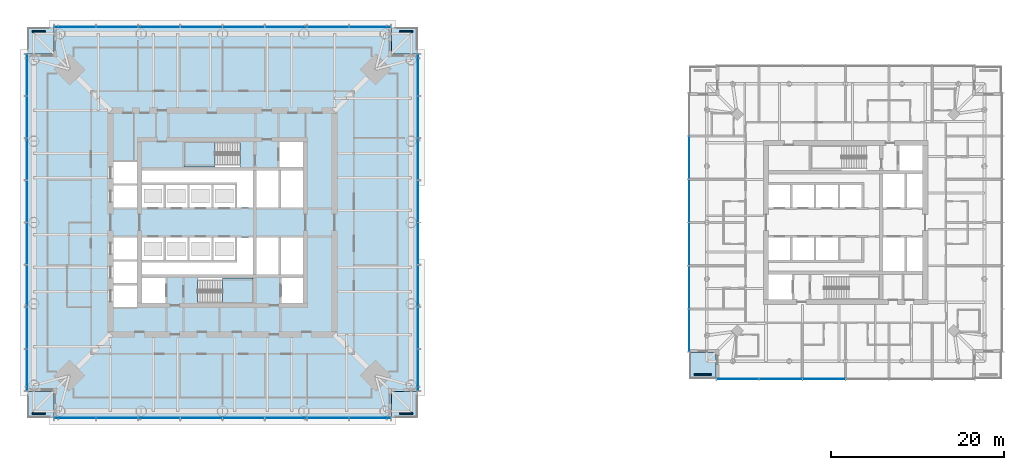
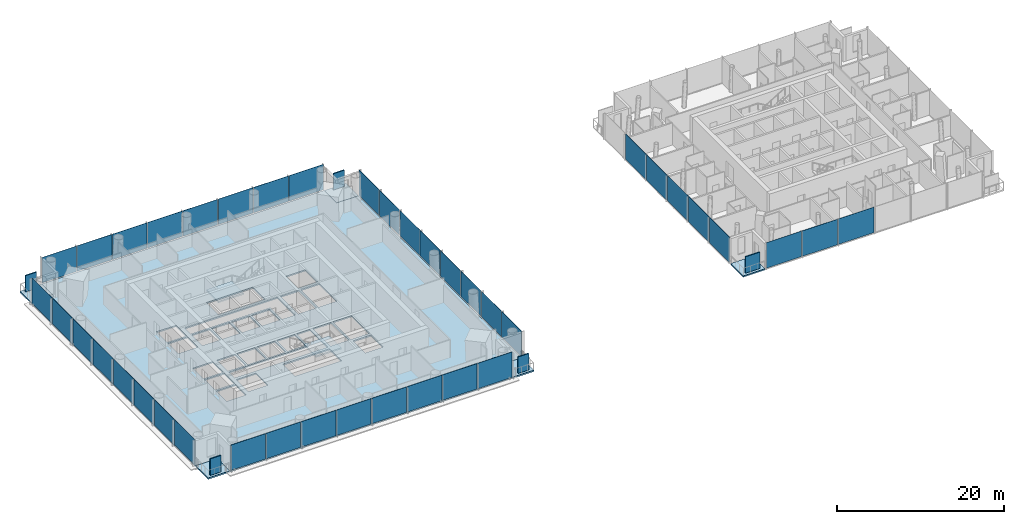
# One storey, part 7 of 27: 45 plates, 8 slabs, 8 elements without a shape of their own.
"""IFC4 building model written with IfcOpenShell, lengths in metres."""

from ifc_helpers import new_model, si_unit, direction, frame, origin, origin_2d, place, context, subcontext, project, spatial, polyline, rectangle, outline, extrude, material, layer, layer_set, type_object, element, aggregate, save


model = new_model("IFC4")

# Units and contexts
model_context = context("Model", 3, precision=1e-05, world=origin(), true_north=direction((0.0, 1.0)))
body_context = subcontext(model_context, "Body", "Model", "MODEL_VIEW")
ifc_project = project(units=[si_unit("LENGTHUNIT", "METRE"), si_unit("AREAUNIT", "SQUARE_METRE"), si_unit("VOLUMEUNIT", "CUBIC_METRE"), si_unit("PLANEANGLEUNIT", "RADIAN"), si_unit("MASSUNIT", "GRAM", prefix="KILO")], contexts=[model_context])

# Site, building, storey
site_placement = place(None, origin())
site = spatial("IfcSite", under=ifc_project, at=site_placement, CompositionType="ELEMENT")
building_placement = place(site_placement, origin())
building = spatial("IfcBuilding", under=site, at=building_placement, Name="Ostroluk Exchange", CompositionType="ELEMENT")
storey_placement = place(building_placement, frame((0.0, 0.0, 89.39990234375)))
storey = spatial("IfcBuildingStorey", under=building, at=storey_placement, Name="L22", CompositionType="ELEMENT", Elevation=89.39990234375)

# Curtain wall, plates
ifc_material_1 = material(Name="Laminated clear glass", Category="glass")
curtain_wall_type_1 = type_object("IfcCurtainWallType", Name="Hotel guest floor facade", PredefinedType="USERDEFINED", material=ifc_material_1)
curtain_wall_1_placement = place(storey_placement, origin())
curtain_wall_1 = element("IfcCurtainWall", 1, at=curtain_wall_1_placement, inside=storey, type_object=curtain_wall_type_1, Name="Hotel tower south facade L22", ObjectType="UNITISED CURTAIN WALL", PredefinedType="USERDEFINED")
ifc_material_2 = material(Name="Laminated clear glass", Category="glass")
ifc_layer_1 = layer(ifc_material_2, 0.0400390625)
ifc_layer_set_1 = layer_set([ifc_layer_1], Name="Acoustic laminated glazing 40")
plate_type_1 = type_object("IfcPlateType", Name="Acoustic laminated glazing 40", PredefinedType="CURTAIN_PANEL", material=ifc_layer_set_1)
plate_1_placement = place(storey_placement, frame((104.52001953125, 27.925048828125, 0.080078125), z_axis=(0.0, 0.0, 1.0), x_axis=(1.0, 0.0, 0.0)))
plate_1 = element("IfcPlate", 2, at=plate_1_placement, type_object=plate_type_1, Name="CW-H1 panel 1.1", PredefinedType="CURTAIN_PANEL", context=body_context, shape_type="SweptSolid", body=[
    extrude(rectangle(XDim=4.8798828125, YDim=0.0400390625, at=origin_2d()), origin(), (0.0, 0.0, 1.0), 3.719970703125),
])
plate_2_placement = place(storey_placement, frame((109.5, 27.925048828125, 0.080078125), z_axis=(0.0, 0.0, 1.0), x_axis=(1.0, 0.0, 0.0)))
plate_2 = element("IfcPlate", 3, at=plate_2_placement, type_object=plate_type_1, Name="CW-H1 panel 2.1", PredefinedType="CURTAIN_PANEL", context=body_context, shape_type="SweptSolid", body=[
    extrude(rectangle(XDim=4.919921875, YDim=0.0400390625, at=origin_2d()), origin(), (0.0, 0.0, 1.0), 3.719970703125),
])
plate_3_placement = place(storey_placement, frame((114.5, 27.925048828125, 0.080078125), z_axis=(0.0, 0.0, 1.0), x_axis=(1.0, 0.0, 0.0)))
plate_3 = element("IfcPlate", 4, at=plate_3_placement, type_object=plate_type_1, Name="CW-H1 panel 3.1", PredefinedType="CURTAIN_PANEL", context=body_context, shape_type="SweptSolid", body=[
    extrude(rectangle(XDim=4.919921875, YDim=0.0400390625, at=origin_2d()), origin(), (0.0, 0.0, 1.0), 3.719970703125),
])
aggregate(curtain_wall_1, [plate_1, plate_2, plate_3])

curtain_wall_2_placement = place(storey_placement, origin())
curtain_wall_2 = element("IfcCurtainWall", 5, at=curtain_wall_2_placement, inside=storey, type_object=curtain_wall_type_1, Name="Hotel tower west facade L22", ObjectType="UNITISED CURTAIN WALL", PredefinedType="USERDEFINED")
plate_4_placement = place(storey_placement, frame((98.925048828125, 53.5, 0.080078125), z_axis=(0.0, 0.0, 1.0), x_axis=(0.0, -1.0, 0.0)))
plate_4 = element("IfcPlate", 6, at=plate_4_placement, type_object=plate_type_1, Name="CW-H1 panel 2.1", PredefinedType="CURTAIN_PANEL", context=body_context, shape_type="SweptSolid", body=[
    extrude(rectangle(XDim=4.919921875, YDim=0.0400390625, at=origin_2d()), origin(), (0.0, 0.0, 1.0), 3.719970703125),
])
plate_5_placement = place(storey_placement, frame((98.925048828125, 48.5, 0.080078125), z_axis=(0.0, 0.0, 1.0), x_axis=(0.0, -1.0, 0.0)))
plate_5 = element("IfcPlate", 7, at=plate_5_placement, type_object=plate_type_1, Name="CW-H1 panel 3.1", PredefinedType="CURTAIN_PANEL", context=body_context, shape_type="SweptSolid", body=[
    extrude(rectangle(XDim=4.919921875, YDim=0.0400390625, at=origin_2d()), origin(), (0.0, 0.0, 1.0), 3.719970703125),
])
plate_6_placement = place(storey_placement, frame((98.925048828125, 43.5, 0.080078125), z_axis=(0.0, 0.0, 1.0), x_axis=(0.0, -1.0, 0.0)))
plate_6 = element("IfcPlate", 8, at=plate_6_placement, type_object=plate_type_1, Name="CW-H1 panel 4.1", PredefinedType="CURTAIN_PANEL", context=body_context, shape_type="SweptSolid", body=[
    extrude(rectangle(XDim=4.919921875, YDim=0.0400390625, at=origin_2d()), origin(), (0.0, 0.0, 1.0), 3.719970703125),
])
plate_7_placement = place(storey_placement, frame((98.925048828125, 38.5, 0.080078125), z_axis=(0.0, 0.0, 1.0), x_axis=(0.0, -1.0, 0.0)))
plate_7 = element("IfcPlate", 9, at=plate_7_placement, type_object=plate_type_1, Name="CW-H1 panel 5.1", PredefinedType="CURTAIN_PANEL", context=body_context, shape_type="SweptSolid", body=[
    extrude(rectangle(XDim=4.919921875, YDim=0.0400390625, at=origin_2d()), origin(), (0.0, 0.0, 1.0), 3.719970703125),
])
plate_8_placement = place(storey_placement, frame((98.925048828125, 33.52001953125, 0.080078125), z_axis=(0.0, 0.0, 1.0), x_axis=(0.0, -1.0, 0.0)))
plate_8 = element("IfcPlate", 10, at=plate_8_placement, type_object=plate_type_1, Name="CW-H1 panel 6.1", PredefinedType="CURTAIN_PANEL", context=body_context, shape_type="SweptSolid", body=[
    extrude(rectangle(XDim=4.8798828125, YDim=0.0400390625, at=origin_2d()), origin(), (0.0, 0.0, 1.0), 3.719970703125),
])
aggregate(curtain_wall_2, [plate_4, plate_5, plate_6, plate_7, plate_8])

# Slabs
ifc_material_3 = material(Name="Concrete C35/45", Category="concrete")
ifc_layer_2 = layer(ifc_material_3, 0.199951171875)
ifc_layer_set_2 = layer_set([ifc_layer_2], Name="Balcony slab 200")
slab_type_1 = type_object("IfcSlabType", Name="Balcony slab 200", PredefinedType="USERDEFINED", material=ifc_layer_set_2)
slab_1_placement = place(storey_placement, frame((0.0, 0.0, -0.199951171875)))
element("IfcSlab", 11, at=slab_1_placement, inside=storey, type_object=slab_type_1, Name="Office tower SE corner balcony L22", ObjectType="BALCONY", PredefinedType="USERDEFINED", context=body_context, shape_type="SweptSolid", body=[
    extrude(outline(polyline([(64.5, 23.5), (67.5, 23.5), (67.5, 26.5), (64.5, 26.5), (64.5, 23.5)])), origin(), (0.0, 0.0, 1.0), 0.199951171875),
])
slab_2_placement = place(storey_placement, frame((0.0, 0.0, -0.199951171875)))
element("IfcSlab", 12, at=slab_2_placement, inside=storey, type_object=slab_type_1, Name="Office tower NE corner balcony L22", ObjectType="BALCONY", PredefinedType="USERDEFINED", context=body_context, shape_type="SweptSolid", body=[
    extrude(outline(polyline([(64.5, 65.5), (67.5, 65.5), (67.5, 68.5), (64.5, 68.5), (64.5, 65.5)])), origin(), (0.0, 0.0, 1.0), 0.199951171875),
])
slab_3_placement = place(storey_placement, frame((0.0, 0.0, -0.199951171875)))
element("IfcSlab", 13, at=slab_3_placement, inside=storey, type_object=slab_type_1, Name="Office tower NW corner balcony L22", ObjectType="BALCONY", PredefinedType="USERDEFINED", context=body_context, shape_type="SweptSolid", body=[
    extrude(outline(polyline([(22.5, 65.5), (25.5, 65.5), (25.5, 68.5), (22.5, 68.5), (22.5, 65.5)])), origin(), (0.0, 0.0, 1.0), 0.199951171875),
])
slab_4_placement = place(storey_placement, frame((0.0, 0.0, -0.199951171875)))
element("IfcSlab", 14, at=slab_4_placement, inside=storey, type_object=slab_type_1, Name="Office tower SW corner balcony L22", ObjectType="BALCONY", PredefinedType="USERDEFINED", context=body_context, shape_type="SweptSolid", body=[
    extrude(outline(polyline([(22.5, 23.5), (25.5, 23.5), (25.5, 26.5), (22.5, 26.5), (22.5, 23.5)])), origin(), (0.0, 0.0, 1.0), 0.199951171875),
])
slab_5_placement = place(storey_placement, frame((0.0, 0.0, -0.199951171875)))
element("IfcSlab", 15, at=slab_5_placement, inside=storey, type_object=slab_type_1, Name="Hotel tower SW corner balcony L22", ObjectType="BALCONY", PredefinedType="USERDEFINED", context=body_context, shape_type="SweptSolid", body=[
    extrude(outline(polyline([(99.0, 28.0), (102.0, 28.0), (102.0, 31.0), (99.0, 31.0), (99.0, 28.0)])), origin(), (0.0, 0.0, 1.0), 0.199951171875),
])

# Curtain wall, plates
ifc_material_4 = material(Name="Laminated clear glass", Category="glass")
curtain_wall_type_2 = type_object("IfcCurtainWallType", Name="Office tower plant and sky lobby facade", PredefinedType="USERDEFINED", material=ifc_material_4)
curtain_wall_3_placement = place(storey_placement, origin())
curtain_wall_3 = element("IfcCurtainWall", 16, at=curtain_wall_3_placement, inside=storey, type_object=curtain_wall_type_2, Name="Office tower south facade L22", ObjectType="LOUVRED CURTAIN WALL", PredefinedType="USERDEFINED")
ifc_material_5 = material(Name="Laminated clear glass", Category="glass")
ifc_layer_3 = layer(ifc_material_5, 0.035888671875)
ifc_layer_set_3 = layer_set([ifc_layer_3], Name="Double laminated clear glazing 36")
plate_type_2 = type_object("IfcPlateType", Name="Double laminated clear glazing 36", PredefinedType="CURTAIN_PANEL", material=ifc_layer_set_3)
plate_9_placement = place(storey_placement, frame((27.95751953125, 23.425048828125, 0.080078125), z_axis=(0.0, 0.0, 1.0), x_axis=(1.0, 0.0, 0.0)))
plate_9 = element("IfcPlate", 17, at=plate_9_placement, type_object=plate_type_2, Name="CW-P1 panel 1.1", PredefinedType="CURTAIN_PANEL", context=body_context, shape_type="SweptSolid", body=[
    extrude(rectangle(XDim=4.7548828125, YDim=0.035888671875, at=origin_2d()), origin(), (0.0, 0.0, 1.0), 3.719970703125),
])
plate_10_placement = place(storey_placement, frame((32.8125, 23.425048828125, 0.080078125), z_axis=(0.0, 0.0, 1.0), x_axis=(1.0, 0.0, 0.0)))
plate_10 = element("IfcPlate", 18, at=plate_10_placement, type_object=plate_type_2, Name="CW-P1 panel 2.1", PredefinedType="CURTAIN_PANEL", context=body_context, shape_type="SweptSolid", body=[
    extrude(rectangle(XDim=4.794921875, YDim=0.035888671875, at=origin_2d()), origin(), (0.0, 0.0, 1.0), 3.719970703125),
])
plate_11_placement = place(storey_placement, frame((37.6875, 23.425048828125, 0.080078125), z_axis=(0.0, 0.0, 1.0), x_axis=(1.0, 0.0, 0.0)))
plate_11 = element("IfcPlate", 19, at=plate_11_placement, type_object=plate_type_2, Name="CW-P1 panel 3.1", PredefinedType="CURTAIN_PANEL", context=body_context, shape_type="SweptSolid", body=[
    extrude(rectangle(XDim=4.794921875, YDim=0.035888671875, at=origin_2d()), origin(), (0.0, 0.0, 1.0), 3.719970703125),
])
plate_12_placement = place(storey_placement, frame((42.5625, 23.425048828125, 0.080078125), z_axis=(0.0, 0.0, 1.0), x_axis=(1.0, 0.0, 0.0)))
plate_12 = element("IfcPlate", 20, at=plate_12_placement, type_object=plate_type_2, Name="CW-P1 panel 4.1", PredefinedType="CURTAIN_PANEL", context=body_context, shape_type="SweptSolid", body=[
    extrude(rectangle(XDim=4.794921875, YDim=0.035888671875, at=origin_2d()), origin(), (0.0, 0.0, 1.0), 3.719970703125),
])
plate_13_placement = place(storey_placement, frame((47.4375, 23.425048828125, 0.080078125), z_axis=(0.0, 0.0, 1.0), x_axis=(1.0, 0.0, 0.0)))
plate_13 = element("IfcPlate", 21, at=plate_13_placement, type_object=plate_type_2, Name="CW-P1 panel 5.1", PredefinedType="CURTAIN_PANEL", context=body_context, shape_type="SweptSolid", body=[
    extrude(rectangle(XDim=4.794921875, YDim=0.035888671875, at=origin_2d()), origin(), (0.0, 0.0, 1.0), 3.719970703125),
])
plate_14_placement = place(storey_placement, frame((52.3125, 23.425048828125, 0.080078125), z_axis=(0.0, 0.0, 1.0), x_axis=(1.0, 0.0, 0.0)))
plate_14 = element("IfcPlate", 22, at=plate_14_placement, type_object=plate_type_2, Name="CW-P1 panel 6.1", PredefinedType="CURTAIN_PANEL", context=body_context, shape_type="SweptSolid", body=[
    extrude(rectangle(XDim=4.794921875, YDim=0.035888671875, at=origin_2d()), origin(), (0.0, 0.0, 1.0), 3.719970703125),
])
plate_15_placement = place(storey_placement, frame((57.1875, 23.425048828125, 0.080078125), z_axis=(0.0, 0.0, 1.0), x_axis=(1.0, 0.0, 0.0)))
plate_15 = element("IfcPlate", 23, at=plate_15_placement, type_object=plate_type_2, Name="CW-P1 panel 7.1", PredefinedType="CURTAIN_PANEL", context=body_context, shape_type="SweptSolid", body=[
    extrude(rectangle(XDim=4.794921875, YDim=0.035888671875, at=origin_2d()), origin(), (0.0, 0.0, 1.0), 3.719970703125),
])
plate_16_placement = place(storey_placement, frame((62.04248046875, 23.425048828125, 0.080078125), z_axis=(0.0, 0.0, 1.0), x_axis=(1.0, 0.0, 0.0)))
plate_16 = element("IfcPlate", 24, at=plate_16_placement, type_object=plate_type_2, Name="CW-P1 panel 8.1", PredefinedType="CURTAIN_PANEL", context=body_context, shape_type="SweptSolid", body=[
    extrude(rectangle(XDim=4.7548828125, YDim=0.035888671875, at=origin_2d()), origin(), (0.0, 0.0, 1.0), 3.719970703125),
])
aggregate(curtain_wall_3, [plate_9, plate_10, plate_11, plate_12, plate_13, plate_14, plate_15, plate_16])

curtain_wall_4_placement = place(storey_placement, origin())
curtain_wall_4 = element("IfcCurtainWall", 25, at=curtain_wall_4_placement, inside=storey, type_object=curtain_wall_type_2, Name="Office tower east facade L22", ObjectType="LOUVRED CURTAIN WALL", PredefinedType="USERDEFINED")
plate_17_placement = place(storey_placement, frame((67.574951171875, 28.95751953125, 0.080078125), z_axis=(0.0, 0.0, 1.0), x_axis=(0.0, 1.0, 0.0)))
plate_17 = element("IfcPlate", 26, at=plate_17_placement, type_object=plate_type_2, Name="CW-P1 panel 1.1", PredefinedType="CURTAIN_PANEL", context=body_context, shape_type="SweptSolid", body=[
    extrude(rectangle(XDim=4.7548828125, YDim=0.035888671875, at=origin_2d()), origin(), (0.0, 0.0, 1.0), 3.719970703125),
])
plate_18_placement = place(storey_placement, frame((67.574951171875, 33.8125, 0.080078125), z_axis=(0.0, 0.0, 1.0), x_axis=(0.0, 1.0, 0.0)))
plate_18 = element("IfcPlate", 27, at=plate_18_placement, type_object=plate_type_2, Name="CW-P1 panel 2.1", PredefinedType="CURTAIN_PANEL", context=body_context, shape_type="SweptSolid", body=[
    extrude(rectangle(XDim=4.794921875, YDim=0.035888671875, at=origin_2d()), origin(), (0.0, 0.0, 1.0), 3.719970703125),
])
plate_19_placement = place(storey_placement, frame((67.574951171875, 38.6875, 0.080078125), z_axis=(0.0, 0.0, 1.0), x_axis=(0.0, 1.0, 0.0)))
plate_19 = element("IfcPlate", 28, at=plate_19_placement, type_object=plate_type_2, Name="CW-P1 panel 3.1", PredefinedType="CURTAIN_PANEL", context=body_context, shape_type="SweptSolid", body=[
    extrude(rectangle(XDim=4.794921875, YDim=0.035888671875, at=origin_2d()), origin(), (0.0, 0.0, 1.0), 3.719970703125),
])
plate_20_placement = place(storey_placement, frame((67.574951171875, 43.5625, 0.080078125), z_axis=(0.0, 0.0, 1.0), x_axis=(0.0, 1.0, 0.0)))
plate_20 = element("IfcPlate", 29, at=plate_20_placement, type_object=plate_type_2, Name="CW-P1 panel 4.1", PredefinedType="CURTAIN_PANEL", context=body_context, shape_type="SweptSolid", body=[
    extrude(rectangle(XDim=4.794921875, YDim=0.035888671875, at=origin_2d()), origin(), (0.0, 0.0, 1.0), 3.719970703125),
])
plate_21_placement = place(storey_placement, frame((67.574951171875, 48.4375, 0.080078125), z_axis=(0.0, 0.0, 1.0), x_axis=(0.0, 1.0, 0.0)))
plate_21 = element("IfcPlate", 30, at=plate_21_placement, type_object=plate_type_2, Name="CW-P1 panel 5.1", PredefinedType="CURTAIN_PANEL", context=body_context, shape_type="SweptSolid", body=[
    extrude(rectangle(XDim=4.794921875, YDim=0.035888671875, at=origin_2d()), origin(), (0.0, 0.0, 1.0), 3.719970703125),
])
plate_22_placement = place(storey_placement, frame((67.574951171875, 53.3125, 0.080078125), z_axis=(0.0, 0.0, 1.0), x_axis=(0.0, 1.0, 0.0)))
plate_22 = element("IfcPlate", 31, at=plate_22_placement, type_object=plate_type_2, Name="CW-P1 panel 6.1", PredefinedType="CURTAIN_PANEL", context=body_context, shape_type="SweptSolid", body=[
    extrude(rectangle(XDim=4.794921875, YDim=0.035888671875, at=origin_2d()), origin(), (0.0, 0.0, 1.0), 3.719970703125),
])
plate_23_placement = place(storey_placement, frame((67.574951171875, 58.1875, 0.080078125), z_axis=(0.0, 0.0, 1.0), x_axis=(0.0, 1.0, 0.0)))
plate_23 = element("IfcPlate", 32, at=plate_23_placement, type_object=plate_type_2, Name="CW-P1 panel 7.1", PredefinedType="CURTAIN_PANEL", context=body_context, shape_type="SweptSolid", body=[
    extrude(rectangle(XDim=4.794921875, YDim=0.035888671875, at=origin_2d()), origin(), (0.0, 0.0, 1.0), 3.719970703125),
])
plate_24_placement = place(storey_placement, frame((67.574951171875, 63.04248046875, 0.080078125), z_axis=(0.0, 0.0, 1.0), x_axis=(0.0, 1.0, 0.0)))
plate_24 = element("IfcPlate", 33, at=plate_24_placement, type_object=plate_type_2, Name="CW-P1 panel 8.1", PredefinedType="CURTAIN_PANEL", context=body_context, shape_type="SweptSolid", body=[
    extrude(rectangle(XDim=4.7548828125, YDim=0.035888671875, at=origin_2d()), origin(), (0.0, 0.0, 1.0), 3.719970703125),
])
aggregate(curtain_wall_4, [plate_17, plate_18, plate_19, plate_20, plate_21, plate_22, plate_23, plate_24])

curtain_wall_5_placement = place(storey_placement, origin())
curtain_wall_5 = element("IfcCurtainWall", 34, at=curtain_wall_5_placement, inside=storey, type_object=curtain_wall_type_2, Name="Office tower north facade L22", ObjectType="LOUVRED CURTAIN WALL", PredefinedType="USERDEFINED")
plate_25_placement = place(storey_placement, frame((62.04248046875, 68.574951171875, 0.080078125), z_axis=(0.0, 0.0, 1.0), x_axis=(-1.0, 0.0, 0.0)))
plate_25 = element("IfcPlate", 35, at=plate_25_placement, type_object=plate_type_2, Name="CW-P1 panel 1.1", PredefinedType="CURTAIN_PANEL", context=body_context, shape_type="SweptSolid", body=[
    extrude(rectangle(XDim=4.7548828125, YDim=0.035888671875, at=origin_2d()), origin(), (0.0, 0.0, 1.0), 3.719970703125),
])
plate_26_placement = place(storey_placement, frame((57.1875, 68.574951171875, 0.080078125), z_axis=(0.0, 0.0, 1.0), x_axis=(-1.0, 0.0, 0.0)))
plate_26 = element("IfcPlate", 36, at=plate_26_placement, type_object=plate_type_2, Name="CW-P1 panel 2.1", PredefinedType="CURTAIN_PANEL", context=body_context, shape_type="SweptSolid", body=[
    extrude(rectangle(XDim=4.794921875, YDim=0.035888671875, at=origin_2d()), origin(), (0.0, 0.0, 1.0), 3.719970703125),
])
plate_27_placement = place(storey_placement, frame((52.3125, 68.574951171875, 0.080078125), z_axis=(0.0, 0.0, 1.0), x_axis=(-1.0, 0.0, 0.0)))
plate_27 = element("IfcPlate", 37, at=plate_27_placement, type_object=plate_type_2, Name="CW-P1 panel 3.1", PredefinedType="CURTAIN_PANEL", context=body_context, shape_type="SweptSolid", body=[
    extrude(rectangle(XDim=4.794921875, YDim=0.035888671875, at=origin_2d()), origin(), (0.0, 0.0, 1.0), 3.719970703125),
])
plate_28_placement = place(storey_placement, frame((47.4375, 68.574951171875, 0.080078125), z_axis=(0.0, 0.0, 1.0), x_axis=(-1.0, 0.0, 0.0)))
plate_28 = element("IfcPlate", 38, at=plate_28_placement, type_object=plate_type_2, Name="CW-P1 panel 4.1", PredefinedType="CURTAIN_PANEL", context=body_context, shape_type="SweptSolid", body=[
    extrude(rectangle(XDim=4.794921875, YDim=0.035888671875, at=origin_2d()), origin(), (0.0, 0.0, 1.0), 3.719970703125),
])
plate_29_placement = place(storey_placement, frame((42.5625, 68.574951171875, 0.080078125), z_axis=(0.0, 0.0, 1.0), x_axis=(-1.0, 0.0, 0.0)))
plate_29 = element("IfcPlate", 39, at=plate_29_placement, type_object=plate_type_2, Name="CW-P1 panel 5.1", PredefinedType="CURTAIN_PANEL", context=body_context, shape_type="SweptSolid", body=[
    extrude(rectangle(XDim=4.794921875, YDim=0.035888671875, at=origin_2d()), origin(), (0.0, 0.0, 1.0), 3.719970703125),
])
plate_30_placement = place(storey_placement, frame((37.6875, 68.574951171875, 0.080078125), z_axis=(0.0, 0.0, 1.0), x_axis=(-1.0, 0.0, 0.0)))
plate_30 = element("IfcPlate", 40, at=plate_30_placement, type_object=plate_type_2, Name="CW-P1 panel 6.1", PredefinedType="CURTAIN_PANEL", context=body_context, shape_type="SweptSolid", body=[
    extrude(rectangle(XDim=4.794921875, YDim=0.035888671875, at=origin_2d()), origin(), (0.0, 0.0, 1.0), 3.719970703125),
])
plate_31_placement = place(storey_placement, frame((32.8125, 68.574951171875, 0.080078125), z_axis=(0.0, 0.0, 1.0), x_axis=(-1.0, 0.0, 0.0)))
plate_31 = element("IfcPlate", 41, at=plate_31_placement, type_object=plate_type_2, Name="CW-P1 panel 7.1", PredefinedType="CURTAIN_PANEL", context=body_context, shape_type="SweptSolid", body=[
    extrude(rectangle(XDim=4.794921875, YDim=0.035888671875, at=origin_2d()), origin(), (0.0, 0.0, 1.0), 3.719970703125),
])
plate_32_placement = place(storey_placement, frame((27.95751953125, 68.574951171875, 0.080078125), z_axis=(0.0, 0.0, 1.0), x_axis=(-1.0, 0.0, 0.0)))
plate_32 = element("IfcPlate", 42, at=plate_32_placement, type_object=plate_type_2, Name="CW-P1 panel 8.1", PredefinedType="CURTAIN_PANEL", context=body_context, shape_type="SweptSolid", body=[
    extrude(rectangle(XDim=4.7548828125, YDim=0.035888671875, at=origin_2d()), origin(), (0.0, 0.0, 1.0), 3.719970703125),
])
aggregate(curtain_wall_5, [plate_25, plate_26, plate_27, plate_28, plate_29, plate_30, plate_31, plate_32])

curtain_wall_6_placement = place(storey_placement, origin())
curtain_wall_6 = element("IfcCurtainWall", 43, at=curtain_wall_6_placement, inside=storey, type_object=curtain_wall_type_2, Name="Office tower west facade L22", ObjectType="LOUVRED CURTAIN WALL", PredefinedType="USERDEFINED")
plate_33_placement = place(storey_placement, frame((22.425048828125, 63.04248046875, 0.080078125), z_axis=(0.0, 0.0, 1.0), x_axis=(0.0, -1.0, 0.0)))
plate_33 = element("IfcPlate", 44, at=plate_33_placement, type_object=plate_type_2, Name="CW-P1 panel 1.1", PredefinedType="CURTAIN_PANEL", context=body_context, shape_type="SweptSolid", body=[
    extrude(rectangle(XDim=4.7548828125, YDim=0.035888671875, at=origin_2d()), origin(), (0.0, 0.0, 1.0), 3.719970703125),
])
plate_34_placement = place(storey_placement, frame((22.425048828125, 58.1875, 0.080078125), z_axis=(0.0, 0.0, 1.0), x_axis=(0.0, -1.0, 0.0)))
plate_34 = element("IfcPlate", 45, at=plate_34_placement, type_object=plate_type_2, Name="CW-P1 panel 2.1", PredefinedType="CURTAIN_PANEL", context=body_context, shape_type="SweptSolid", body=[
    extrude(rectangle(XDim=4.794921875, YDim=0.035888671875, at=origin_2d()), origin(), (0.0, 0.0, 1.0), 3.719970703125),
])
plate_35_placement = place(storey_placement, frame((22.425048828125, 53.3125, 0.080078125), z_axis=(0.0, 0.0, 1.0), x_axis=(0.0, -1.0, 0.0)))
plate_35 = element("IfcPlate", 46, at=plate_35_placement, type_object=plate_type_2, Name="CW-P1 panel 3.1", PredefinedType="CURTAIN_PANEL", context=body_context, shape_type="SweptSolid", body=[
    extrude(rectangle(XDim=4.794921875, YDim=0.035888671875, at=origin_2d()), origin(), (0.0, 0.0, 1.0), 3.719970703125),
])
plate_36_placement = place(storey_placement, frame((22.425048828125, 48.4375, 0.080078125), z_axis=(0.0, 0.0, 1.0), x_axis=(0.0, -1.0, 0.0)))
plate_36 = element("IfcPlate", 47, at=plate_36_placement, type_object=plate_type_2, Name="CW-P1 panel 4.1", PredefinedType="CURTAIN_PANEL", context=body_context, shape_type="SweptSolid", body=[
    extrude(rectangle(XDim=4.794921875, YDim=0.035888671875, at=origin_2d()), origin(), (0.0, 0.0, 1.0), 3.719970703125),
])
plate_37_placement = place(storey_placement, frame((22.425048828125, 43.5625, 0.080078125), z_axis=(0.0, 0.0, 1.0), x_axis=(0.0, -1.0, 0.0)))
plate_37 = element("IfcPlate", 48, at=plate_37_placement, type_object=plate_type_2, Name="CW-P1 panel 5.1", PredefinedType="CURTAIN_PANEL", context=body_context, shape_type="SweptSolid", body=[
    extrude(rectangle(XDim=4.794921875, YDim=0.035888671875, at=origin_2d()), origin(), (0.0, 0.0, 1.0), 3.719970703125),
])
plate_38_placement = place(storey_placement, frame((22.425048828125, 38.6875, 0.080078125), z_axis=(0.0, 0.0, 1.0), x_axis=(0.0, -1.0, 0.0)))
plate_38 = element("IfcPlate", 49, at=plate_38_placement, type_object=plate_type_2, Name="CW-P1 panel 6.1", PredefinedType="CURTAIN_PANEL", context=body_context, shape_type="SweptSolid", body=[
    extrude(rectangle(XDim=4.794921875, YDim=0.035888671875, at=origin_2d()), origin(), (0.0, 0.0, 1.0), 3.719970703125),
])
plate_39_placement = place(storey_placement, frame((22.425048828125, 33.8125, 0.080078125), z_axis=(0.0, 0.0, 1.0), x_axis=(0.0, -1.0, 0.0)))
plate_39 = element("IfcPlate", 50, at=plate_39_placement, type_object=plate_type_2, Name="CW-P1 panel 7.1", PredefinedType="CURTAIN_PANEL", context=body_context, shape_type="SweptSolid", body=[
    extrude(rectangle(XDim=4.794921875, YDim=0.035888671875, at=origin_2d()), origin(), (0.0, 0.0, 1.0), 3.719970703125),
])
plate_40_placement = place(storey_placement, frame((22.425048828125, 28.95751953125, 0.080078125), z_axis=(0.0, 0.0, 1.0), x_axis=(0.0, -1.0, 0.0)))
plate_40 = element("IfcPlate", 51, at=plate_40_placement, type_object=plate_type_2, Name="CW-P1 panel 8.1", PredefinedType="CURTAIN_PANEL", context=body_context, shape_type="SweptSolid", body=[
    extrude(rectangle(XDim=4.7548828125, YDim=0.035888671875, at=origin_2d()), origin(), (0.0, 0.0, 1.0), 3.719970703125),
])
aggregate(curtain_wall_6, [plate_33, plate_34, plate_35, plate_36, plate_37, plate_38, plate_39, plate_40])

# Plates
ifc_material_6 = material(Name="Steel S355 trellis with planting", Category="steel")
ifc_layer_4 = layer(ifc_material_6, 0.14990234375)
ifc_layer_set_4 = layer_set([ifc_layer_4], Name="Planted screen 150")
plate_type_3 = type_object("IfcPlateType", Name="Planted screen 150", PredefinedType="USERDEFINED", material=ifc_layer_set_4)
for number, where, z_axis, x_axis, name in (
    (52, (66.25, 23.925048828125, 0.000244140625), (0.0, 0.0, 1.0), (1.0, 0.0, 0.0), "Office tower SE planted screen L22"),
    (53, (66.25, 68.074951171875, 0.000244140625), (0.0, 0.0, 1.0), (1.0, 0.0, 0.0), "Office tower NE planted screen L22"),
    (54, (23.75, 68.074951171875, 0.000244140625), (0.0, 0.0, 1.0), (1.0, 0.0, 0.0), "Office tower NW planted screen L22"),
    (55, (23.75, 23.925048828125, 0.000244140625), (0.0, 0.0, 1.0), (1.0, 0.0, 0.0), "Office tower SW planted screen L22"),
):
    element("IfcPlate", number, at=place(storey_placement, frame(where, z_axis=z_axis, x_axis=x_axis)), inside=storey, type_object=plate_type_3, Name=name, ObjectType="PLANTED SCREEN", PredefinedType="USERDEFINED", context=body_context, shape_type="SweptSolid", body=[
        extrude(rectangle(XDim=1.5, YDim=0.14990234375, at=origin_2d()), origin(), (0.0, 0.0, 1.0), 2.39990234375),
    ])
plate_41_placement = place(storey_placement, frame((100.5, 28.425048828125, 0.000244140625), z_axis=(0.0, 0.0, 1.0), x_axis=(1.0, 0.0, 0.0)))
element("IfcPlate", 56, at=plate_41_placement, inside=storey, type_object=plate_type_3, Name="Hotel tower SW planted screen L22", ObjectType="PLANTED SCREEN", PredefinedType="USERDEFINED", context=body_context, shape_type="SweptSolid", body=[
    extrude(rectangle(XDim=2.0, YDim=0.14990234375, at=origin_2d()), origin(), (0.0, 0.0, 1.0), 2.39990234375),
])

# Stair, slab
ifc_material_7 = material(Name="Concrete C30/37", Category="concrete")
stair_type = type_object("IfcStairType", Name="Exit stair half turn 3800", PredefinedType="HALF_TURN_STAIR", material=ifc_material_7)
stair_1_placement = place(storey_placement, origin())
stair_1 = element("IfcStair", 57, at=stair_1_placement, inside=storey, type_object=stair_type, Name="Stair T1-S1 L22", PredefinedType="HALF_TURN_STAIR")
ifc_material_8 = material(Name="Concrete C30/37", Category="concrete")
ifc_layer_5 = layer(ifc_material_8, 0.199951171875)
ifc_layer_set_5 = layer_set([ifc_layer_5], Name="Stair landing 200")
slab_type_2 = type_object("IfcSlabType", Name="Stair landing 200", PredefinedType="LANDING", material=ifc_layer_set_5)
slab_6_placement = place(storey_placement, frame((0.0, 0.0, 1.7001953125)))
slab_6 = element("IfcSlab", 58, at=slab_6_placement, type_object=slab_type_2, Name="T1-S1 landing 1", PredefinedType="LANDING", context=body_context, shape_type="SweptSolid", body=[
    extrude(outline(polyline([(45.0, 36.699951171875), (45.0, 39.60009765625), (48.530029296875, 39.60009765625), (48.530029296875, 36.699951171875), (45.0, 36.699951171875)])), origin(), (0.0, 0.0, 1.0), 0.199951171875),
])
aggregate(stair_1, [slab_6])

stair_2_placement = place(storey_placement, origin())
stair_2 = element("IfcStair", 59, at=stair_2_placement, inside=storey, type_object=stair_type, Name="Stair T1-S2 L22", PredefinedType="HALF_TURN_STAIR")
slab_7_placement = place(storey_placement, frame((0.0, 0.0, 1.7001953125)))
slab_7 = element("IfcSlab", 60, at=slab_7_placement, type_object=slab_type_2, Name="T1-S2 landing 1", PredefinedType="LANDING", context=body_context, shape_type="SweptSolid", body=[
    extrude(outline(polyline([(44.1298828125, 52.39990234375), (44.1298828125, 55.300048828125), (40.60009765625, 55.300048828125), (40.60009765625, 52.39990234375), (44.1298828125, 52.39990234375)])), origin(), (0.0, 0.0, 1.0), 0.199951171875),
])
aggregate(stair_2, [slab_7])

# Slab
ifc_material_9 = material(Name="Concrete C35/45", Category="concrete")
ifc_layer_6 = layer(ifc_material_9, 0.199951171875)
ifc_layer_set_6 = layer_set([ifc_layer_6], Name="Tower floor slab 200")
slab_type_3 = type_object("IfcSlabType", Name="Tower floor slab 200", PredefinedType="FLOOR", material=ifc_layer_set_6)
slab_8_placement = place(storey_placement, frame((0.0, 0.0, -0.199951171875)))
element("IfcSlab", 61, at=slab_8_placement, inside=storey, type_object=slab_type_3, Name="Office tower floor slab L22", PredefinedType="FLOOR", context=body_context, shape_type="SweptSolid", body=[
    extrude(outline(polyline([(25.5, 23.5), (64.5, 23.5), (64.5, 26.5), (67.5, 26.5), (67.5, 65.5), (64.5, 65.5), (64.5, 68.5), (25.5, 68.5), (25.5, 65.5), (22.5, 65.5), (22.5, 26.5), (25.5, 26.5), (25.5, 23.5)]), holes=[polyline([(35.699951171875, 36.699951171875), (38.39990234375, 36.699951171875), (38.39990234375, 39.60009765625), (35.699951171875, 39.60009765625), (35.699951171875, 36.699951171875)]), polyline([(42.110107421875, 36.699951171875), (48.530029296875, 36.699951171875), (48.530029296875, 39.60009765625), (42.110107421875, 39.60009765625), (42.110107421875, 36.699951171875)]), polyline([(51.800048828125, 36.699951171875), (54.300048828125, 36.699951171875), (54.300048828125, 39.60009765625), (51.800048828125, 39.60009765625), (51.800048828125, 36.699951171875)]), polyline([(40.60009765625, 52.39990234375), (47.02001953125, 52.39990234375), (47.02001953125, 55.300048828125), (40.60009765625, 55.300048828125), (40.60009765625, 52.39990234375)]), polyline([(51.60009765625, 52.39990234375), (54.300048828125, 52.39990234375), (54.300048828125, 55.300048828125), (51.60009765625, 55.300048828125), (51.60009765625, 52.39990234375)]), polyline([(35.699951171875, 47.75), (38.199951171875, 47.75), (38.199951171875, 50.35009765625), (35.699951171875, 50.35009765625), (35.699951171875, 47.75)]), polyline([(38.449951171875, 47.75), (40.949951171875, 47.75), (40.949951171875, 50.35009765625), (38.449951171875, 50.35009765625), (38.449951171875, 47.75)]), polyline([(41.199951171875, 47.75), (43.699951171875, 47.75), (43.699951171875, 50.35009765625), (41.199951171875, 50.35009765625), (41.199951171875, 47.75)]), polyline([(43.949951171875, 47.75), (46.449951171875, 47.75), (46.449951171875, 50.35009765625), (43.949951171875, 50.35009765625), (43.949951171875, 47.75)]), polyline([(35.699951171875, 41.64990234375), (38.199951171875, 41.64990234375), (38.199951171875, 44.25), (35.699951171875, 44.25), (35.699951171875, 41.64990234375)]), polyline([(38.449951171875, 41.64990234375), (40.949951171875, 41.64990234375), (40.949951171875, 44.25), (38.449951171875, 44.25), (38.449951171875, 41.64990234375)]), polyline([(41.199951171875, 41.64990234375), (43.699951171875, 41.64990234375), (43.699951171875, 44.25), (41.199951171875, 44.25), (41.199951171875, 41.64990234375)]), polyline([(43.949951171875, 41.64990234375), (46.449951171875, 41.64990234375), (46.449951171875, 44.25), (43.949951171875, 44.25), (43.949951171875, 41.64990234375)]), polyline([(48.929931640625, 47.75), (51.489990234375, 47.75), (51.489990234375, 52.0), (48.929931640625, 52.0), (48.929931640625, 47.75)]), polyline([(51.739990234375, 47.75), (54.300048828125, 47.75), (54.300048828125, 52.0), (51.739990234375, 52.0), (51.739990234375, 47.75)]), polyline([(48.929931640625, 40.0), (51.489990234375, 40.0), (51.489990234375, 44.25), (48.929931640625, 44.25), (48.929931640625, 40.0)]), polyline([(51.739990234375, 40.0), (54.300048828125, 40.0), (54.300048828125, 44.25), (51.739990234375, 44.25), (51.739990234375, 40.0)]), polyline([(48.530029296875, 52.0), (48.530029296875, 47.75), (46.699951171875, 47.75), (46.699951171875, 50.60009765625), (35.699951171875, 50.60009765625), (35.699951171875, 52.0), (48.530029296875, 52.0)]), polyline([(35.699951171875, 40.0), (35.699951171875, 41.39990234375), (46.699951171875, 41.39990234375), (46.699951171875, 44.25), (48.530029296875, 44.25), (48.530029296875, 40.0), (35.699951171875, 40.0)]), polyline([(32.39990234375, 36.25), (35.10009765625, 36.25), (35.10009765625, 38.75), (32.39990234375, 38.75), (32.39990234375, 36.25)]), polyline([(32.39990234375, 39.0), (35.10009765625, 39.0), (35.10009765625, 41.5), (32.39990234375, 41.5), (32.39990234375, 39.0)]), polyline([(32.39990234375, 41.75), (35.10009765625, 41.75), (35.10009765625, 44.25), (32.39990234375, 44.25), (32.39990234375, 41.75)]), polyline([(32.39990234375, 47.75), (35.10009765625, 47.75), (35.10009765625, 50.25), (32.39990234375, 50.25), (32.39990234375, 47.75)]), polyline([(32.39990234375, 50.5), (35.10009765625, 50.5), (35.10009765625, 53.0), (32.39990234375, 53.0), (32.39990234375, 50.5)])]), origin(), (0.0, 0.0, 1.0), 0.199951171875),
])

save(model, "model.ifc")
